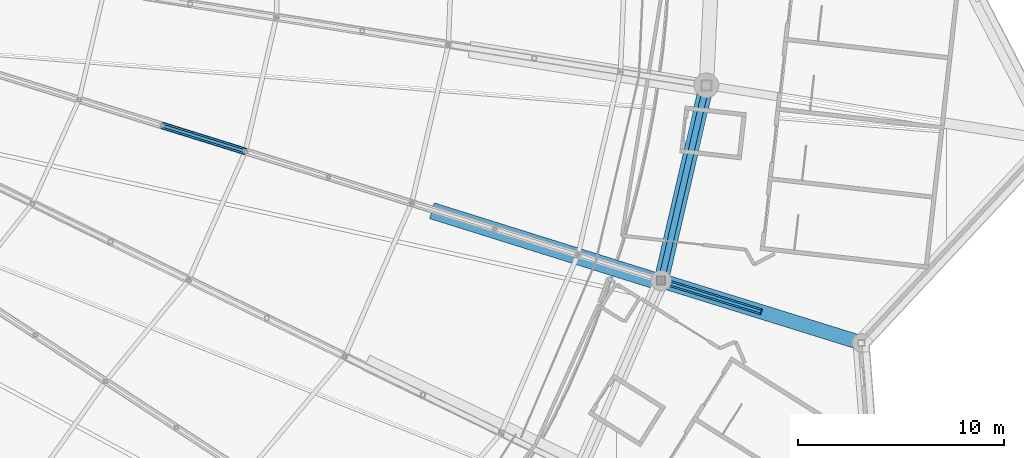
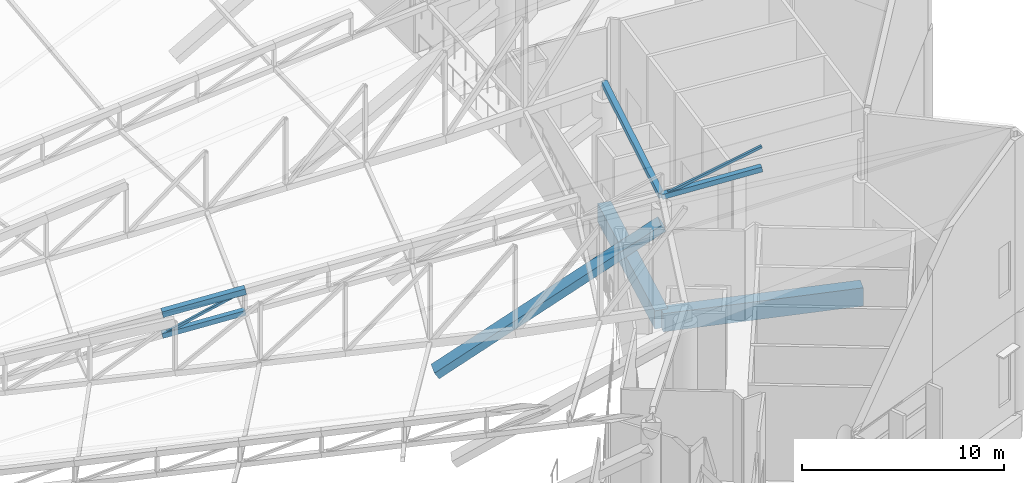
# One storey, part 90 of 344: 6 members, 3 beams.
"""IFC4 building model written with IfcOpenShell, lengths in metres."""

from ifc_helpers import new_model, si_unit, direction, frame, origin, origin_2d, place, context, subcontext, project, spatial, rectangle, hollow_rectangle, extrude, material, material_profile, profile_set, type_object, element, save


model = new_model("IFC4")

# Units and contexts
model_context = context("Model", 3, precision=1e-05, world=origin(), true_north=direction((0.0, 1.0)))
body_context = subcontext(model_context, "Body", "Model", "MODEL_VIEW")
ifc_project = project(units=[si_unit("LENGTHUNIT", "METRE"), si_unit("AREAUNIT", "SQUARE_METRE"), si_unit("VOLUMEUNIT", "CUBIC_METRE"), si_unit("PLANEANGLEUNIT", "RADIAN"), si_unit("MASSUNIT", "GRAM", prefix="KILO")], contexts=[model_context])

# Site, building, storey
site_placement = place(None, origin())
site = spatial("IfcSite", under=ifc_project, at=site_placement, CompositionType="ELEMENT")
building_placement = place(site_placement, origin())
building = spatial("IfcBuilding", under=site, at=building_placement, Name="Meseta Stadium", CompositionType="ELEMENT")
storey_placement = place(building_placement, frame((0.0, 0.0, 24.0)))
storey = spatial("IfcBuildingStorey", under=building, at=storey_placement, Name="L04", CompositionType="ELEMENT", Elevation=24.0)

# Beams
ifc_material_1 = material(Name="Concrete C40/50", Category="concrete")
ifc_material_profile_1 = material_profile(ifc_material_1, rectangle(XDim=0.699951171875, YDim=1.10009765625, at=origin_2d()), Name="RC 700x1100")
ifc_profile_set_1 = profile_set([ifc_material_profile_1], Name="Concrete C40/50")
beam_type_1 = type_object("IfcBeamType", Name="RC beam 700x1100", PredefinedType="BEAM", material=ifc_profile_set_1)
beam_1_placement = place(storey_placement, frame((82.169189453125, -63.03369140625, -0.949951171875), z_axis=(0.225749180431, 0.974185458491, 0.0), x_axis=(-0.974185458491, 0.225749180431, 0.0)))
element("IfcBeam", 1, at=beam_1_placement, inside=storey, type_object=beam_type_1, Name="L04 ring beam frame 55 line P", PredefinedType="BEAM", context=body_context, shape_type="SweptSolid", body=[
    extrude(rectangle(XDim=0.699951171875, YDim=1.10009765625, at=origin_2d()), origin(), (0.0, 0.0, 1.0), 9.71923828125),
])
beam_2_placement = place(storey_placement, frame((82.169189453125, -63.03369140625, -0.949951171875), z_axis=(0.954886907796, -0.296969684176, 0.0), x_axis=(0.296969684176, 0.954886907796, 0.0)))
element("IfcBeam", 2, at=beam_2_placement, inside=storey, type_object=beam_type_1, Name="L04 radial beam frame 55 line P to R", PredefinedType="BEAM", context=body_context, shape_type="SweptSolid", body=[
    extrude(rectangle(XDim=0.699951171875, YDim=1.10009765625, at=origin_2d()), origin(), (0.0, 0.0, 1.0), 10.162109375),
])
ifc_material_2 = material(Name="Concrete C40/50", Category="concrete")
ifc_material_profile_2 = material_profile(ifc_material_2, rectangle(XDim=0.800048828125, YDim=0.449951171875, at=origin_2d()), Name="RC 800x450")
ifc_profile_set_2 = profile_set([ifc_material_profile_2], Name="Concrete C40/50")
beam_type_2 = type_object("IfcBeamType", Name="RC raker upper rear 800x450", PredefinedType="USERDEFINED", material=ifc_profile_set_2)
beam_3_placement = place(storey_placement, frame((71.169677734375, -59.67724609375, -2.31787109375), z_axis=(0.809741444929, -0.253874039245, 0.529024351577), x_axis=(0.299165745615, 0.954201161522, 0.0)))
element("IfcBeam", 3, at=beam_3_placement, inside=storey, type_object=beam_type_2, Name="Raker upper rear frame 55 upper tier", ObjectType="RAKER", PredefinedType="USERDEFINED", context=body_context, shape_type="SweptSolid", body=[
    extrude(rectangle(XDim=0.800048828125, YDim=0.449951171875, at=origin_2d()), origin(), (0.0, 0.0, 1.0), 13.5517578125),
])

# Members
ifc_material_3 = material(Name="Steel S355", Category="steel")
ifc_material_profile_3 = material_profile(ifc_material_3, hollow_rectangle(XDim=0.139892578125, YDim=0.139892578125, WallThickness=0.0048828125, at=origin_2d()), Name="SHS 140x140x5")
ifc_profile_set_3 = profile_set([ifc_material_profile_3], Name="Steel S355")
member_type_1 = type_object("IfcMemberType", Name="SHS 140x140x5 diagonal", PredefinedType="BRACE", material=ifc_profile_set_3)
member_1_placement = place(storey_placement, frame((57.978759765625, -55.5107421875, 2.017578125), z_axis=(0.859278691546, -0.267243269939, 0.436143514142), x_axis=(0.296977513201, 0.954884472935, 0.0)))
element("IfcMember", 4, at=member_1_placement, inside=storey, type_object=member_type_1, Name="ROOF TRUSS RT-55 diagonal", PredefinedType="BRACE", context=body_context, shape_type="SweptSolid", body=[
    extrude(hollow_rectangle(XDim=0.139892578125, YDim=0.139892578125, WallThickness=0.0048828125, at=origin_2d()), origin(), (0.0, 0.0, 1.0), 4.69189453125),
])
member_2_placement = place(storey_placement, frame((82.169189453125, -63.03369140625, 6.495849609375), z_axis=(0.876394312663, -0.272580548813, 0.397030040603), x_axis=(0.296991589907, 0.954880094842, 0.0)))
element("IfcMember", 5, at=member_2_placement, inside=storey, type_object=member_type_1, Name="ROOF TRUSS RT-55 diagonal", PredefinedType="BRACE", context=body_context, shape_type="SweptSolid", body=[
    extrude(hollow_rectangle(XDim=0.139892578125, YDim=0.139892578125, WallThickness=0.0048828125, at=origin_2d()), origin(), (0.0, 0.0, 1.0), 5.5361328125),
])
ifc_material_4 = material(Name="Steel S355", Category="steel")
ifc_material_profile_4 = material_profile(ifc_material_4, hollow_rectangle(XDim=0.300048828125, YDim=0.300048828125, WallThickness=0.010009765625, at=origin_2d()), Name="SHS 300x300x10")
ifc_profile_set_4 = profile_set([ifc_material_profile_4], Name="Steel S355")
member_type_2 = type_object("IfcMemberType", Name="SHS 300x300x10 bottom chord", PredefinedType="CHORD", material=ifc_profile_set_4)
member_3_placement = place(storey_placement, frame((57.978759765625, -55.5107421875, 2.017578125), z_axis=(0.940307263038, -0.292443872046, 0.174065599074), x_axis=(0.296977513201, 0.954884472935, 0.0)))
element("IfcMember", 6, at=member_3_placement, inside=storey, type_object=member_type_2, Name="ROOF TRUSS RT-55 bottom chord", PredefinedType="CHORD", context=body_context, shape_type="SweptSolid", body=[
    extrude(hollow_rectangle(XDim=0.300048828125, YDim=0.300048828125, WallThickness=0.010009765625, at=origin_2d()), origin(), (0.0, 0.0, 1.0), 4.28759765625),
])
member_4_placement = place(storey_placement, frame((82.169189453125, -63.03369140625, 6.495849609375), z_axis=(0.940309304349, -0.292459709665, 0.174027958607), x_axis=(0.296991589907, 0.954880094842, 0.0)))
element("IfcMember", 7, at=member_4_placement, inside=storey, type_object=member_type_2, Name="ROOF TRUSS RT-55 bottom chord", PredefinedType="CHORD", context=body_context, shape_type="SweptSolid", body=[
    extrude(hollow_rectangle(XDim=0.300048828125, YDim=0.300048828125, WallThickness=0.010009765625, at=origin_2d()), origin(), (0.0, 0.0, 1.0), 5.159912109375),
])
ifc_material_5 = material(Name="Steel S355", Category="steel")
ifc_material_profile_5 = material_profile(ifc_material_5, hollow_rectangle(XDim=0.300048828125, YDim=0.300048828125, WallThickness=0.010009765625, at=origin_2d()), Name="SHS 300x300x10")
ifc_profile_set_5 = profile_set([ifc_material_profile_5], Name="Steel S355")
member_type_3 = type_object("IfcMemberType", Name="SHS 300x300x10 pivot strut", PredefinedType="STRUT", material=ifc_profile_set_5)
member_5_placement = place(storey_placement, frame((82.169189453125, -63.03369140625, 6.495849609375), z_axis=(0.225638687062, 0.973708641555, 0.031283610112), x_axis=(-0.974185458491, 0.225749180431, 0.0)))
element("IfcMember", 8, at=member_5_placement, inside=storey, type_object=member_type_3, Name="ROOF PIVOT STRUT RT-55/00", PredefinedType="STRUT", context=body_context, shape_type="SweptSolid", body=[
    extrude(hollow_rectangle(XDim=0.300048828125, YDim=0.300048828125, WallThickness=0.010009765625, at=origin_2d()), origin(), (0.0, 0.0, 1.0), 9.723876953125),
])
ifc_material_6 = material(Name="Steel S355", Category="steel")
ifc_material_profile_6 = material_profile(ifc_material_6, hollow_rectangle(XDim=0.35009765625, YDim=0.35009765625, WallThickness=0.010009765625, at=origin_2d()), Name="SHS 350x350x10")
ifc_profile_set_6 = profile_set([ifc_material_profile_6], Name="Steel S355")
member_type_4 = type_object("IfcMemberType", Name="SHS 350x350x10 top chord", PredefinedType="CHORD", material=ifc_profile_set_6)
member_6_placement = place(storey_placement, frame((57.978759765625, -55.5107421875, 3.317626953125), z_axis=(0.940307263038, -0.292443872046, 0.174065599074), x_axis=(0.296977513201, 0.954884472935, 0.0)))
element("IfcMember", 9, at=member_6_placement, inside=storey, type_object=member_type_4, Name="ROOF TRUSS RT-55 top chord", PredefinedType="CHORD", context=body_context, shape_type="SweptSolid", body=[
    extrude(hollow_rectangle(XDim=0.35009765625, YDim=0.35009765625, WallThickness=0.010009765625, at=origin_2d()), origin(), (0.0, 0.0, 1.0), 4.28759765625),
])

save(model, "model.ifc")
